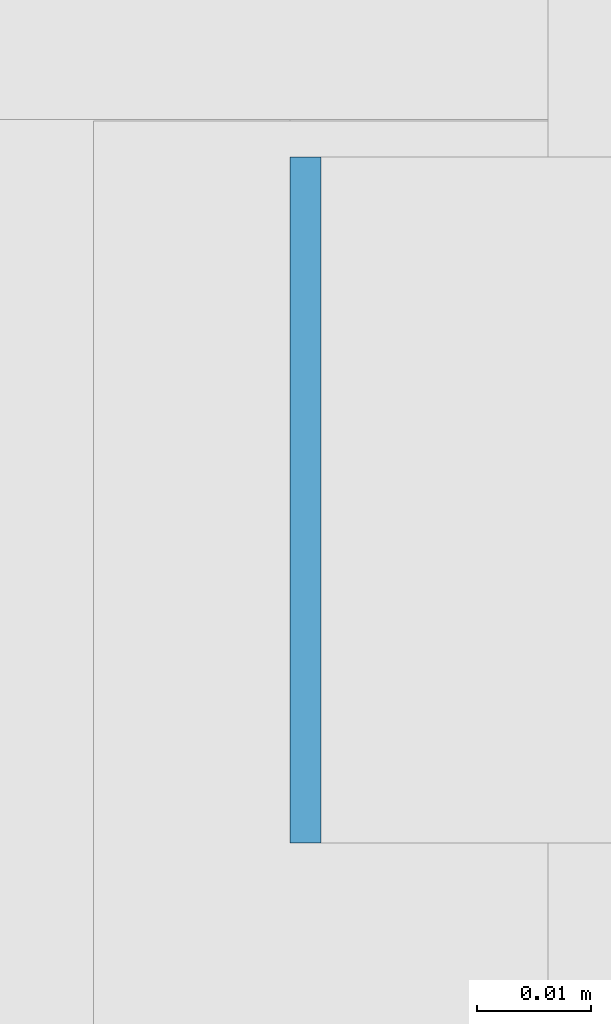
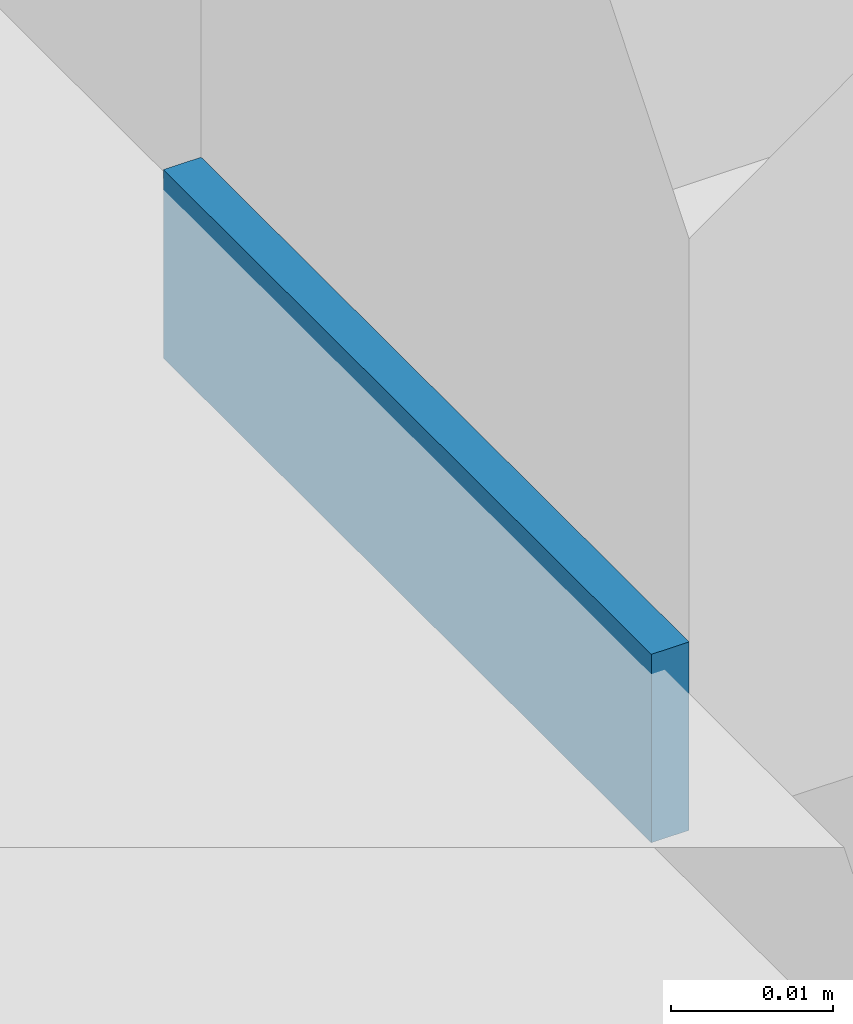
# One storey, part 610 of 646: 1 discrete accessory.
"""IFC4 building model written with IfcOpenShell, lengths in metres."""

from ifc_helpers import new_model, si_unit, direction, frame, origin, origin_2d, place, context, subcontext, project, spatial, rectangle, extrude, material, type_object, element, save


model = new_model("IFC4")

# Units and contexts
model_context = context("Model", 3, precision=1e-05, world=origin(), true_north=direction((0.0, 1.0)))
body_context = subcontext(model_context, "Body", "Model", "MODEL_VIEW")
ifc_project = project(units=[si_unit("LENGTHUNIT", "METRE"), si_unit("AREAUNIT", "SQUARE_METRE"), si_unit("VOLUMEUNIT", "CUBIC_METRE"), si_unit("PLANEANGLEUNIT", "RADIAN"), si_unit("MASSUNIT", "GRAM", prefix="KILO")], contexts=[model_context])

# Site, building, storey
site_placement = place(None, origin())
site = spatial("IfcSite", under=ifc_project, at=site_placement, CompositionType="ELEMENT")
building_placement = place(site_placement, origin())
building = spatial("IfcBuilding", under=site, at=building_placement, Name="Silverbay Arena", CompositionType="ELEMENT")
storey_placement = place(building_placement, frame((0.0, 0.0, 33.5)))
storey = spatial("IfcBuildingStorey", under=building, at=storey_placement, Name="L05", CompositionType="ELEMENT", Elevation=33.5)

# Discrete accessory
ifc_material = material(Name="Steel S355", Category="steel")
discrete_accessory_type = type_object("IfcDiscreteAccessoryType", Name="Steel bracket plate", PredefinedType="BRACKET", material=ifc_material)
discrete_accessory_placement = place(storey_placement, frame((207.128662109375, 128.86669921875, 4.0), z_axis=(0.0, 0.0, 1.0), x_axis=(1.0, 0.0, 0.0)))
element("IfcDiscreteAccessory", 1, at=discrete_accessory_placement, inside=storey, type_object=discrete_accessory_type, Name="Curtain wall packing plate", PredefinedType="BRACKET", context=body_context, shape_type="SweptSolid", body=[
    extrude(rectangle(XDim=0.002685546875, YDim=0.06005859375, at=origin_2d()), origin(), (0.0, 0.0, 1.0), 0.01416015625),
])

save(model, "model.ifc")
